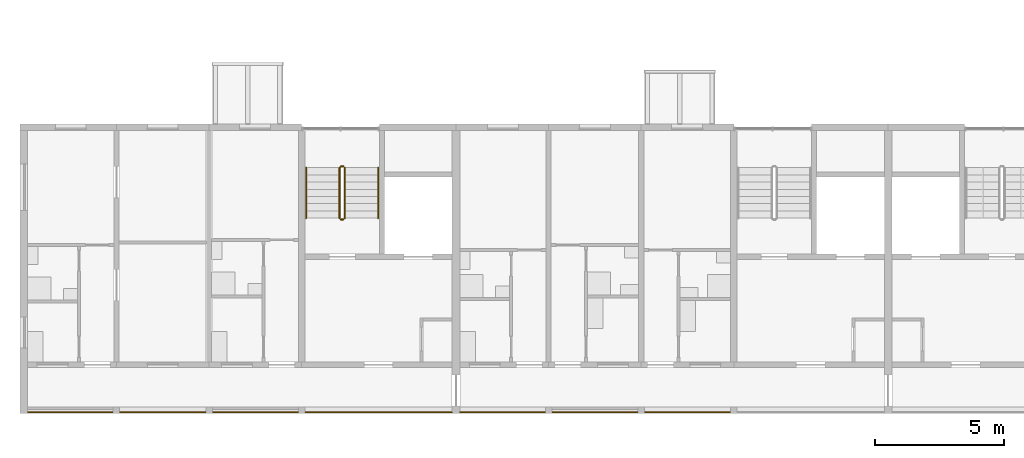
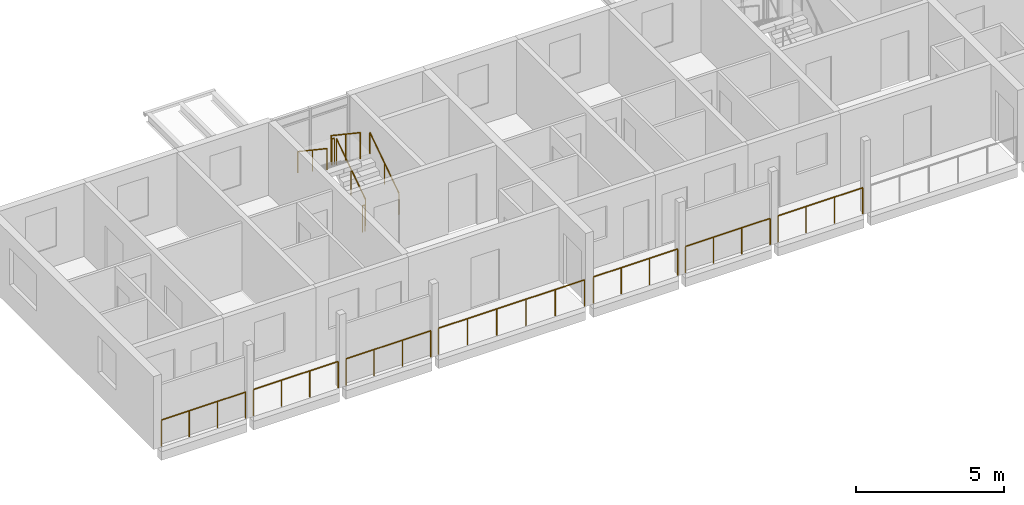
# One storey, part 71 of 93: 13 railings.
"""IFC4 building model written with IfcOpenShell, lengths in metres."""

from ifc_helpers import new_model, si_unit, direction, frame, origin, origin_2d, place, context, subcontext, project, spatial, circle, extrude, material, type_object, element, save


model = new_model("IFC4")

# Units and contexts
model_context = context("Model", 3, precision=1e-05, world=origin(), true_north=direction((0.0, 1.0)))
body_context = subcontext(model_context, "Body", "Model", "MODEL_VIEW")
ifc_project = project(units=[si_unit("LENGTHUNIT", "METRE"), si_unit("AREAUNIT", "SQUARE_METRE"), si_unit("VOLUMEUNIT", "CUBIC_METRE"), si_unit("PLANEANGLEUNIT", "RADIAN"), si_unit("MASSUNIT", "GRAM", prefix="KILO")], contexts=[model_context])

# Site, building, storey
site_placement = place(None, origin())
site = spatial("IfcSite", under=ifc_project, at=site_placement, CompositionType="ELEMENT")
building_placement = place(site_placement, origin())
building = spatial("IfcBuilding", under=site, at=building_placement, Name="Ridgestep Commons", CompositionType="ELEMENT")
storey_placement = place(building_placement, frame((0.0, 0.0, 18.0)))
storey = spatial("IfcBuildingStorey", under=building, at=storey_placement, Name="L06", CompositionType="ELEMENT", Elevation=18.0)

# Railings
ifc_material_1 = material(Name="Structural steel S355JR", Category="steel")
railing_type_1 = type_object("IfcRailingType", Name="Guard 1100", PredefinedType="GUARDRAIL", material=ifc_material_1)
railing_1_placement = place(storey_placement, frame((12.1708984375, 11.800048828125, 0.0)))
element("IfcRailing", 1, at=railing_1_placement, inside=storey, type_object=railing_type_1, Name="Gallery guard A 06.1", PredefinedType="GUARDRAIL", context=body_context, shape_type="SweptSolid", body=[
    extrude(circle(Radius=0.02392578125, at=origin_2d()), frame((0.0, 0.0, 1.076171875), z_axis=(1.0, 0.0, 0.0), x_axis=(0.0, 1.0, 0.0)), (0.0, 0.0, 1.0), 3.283203125),
    extrude(circle(Radius=0.02099609375, at=origin_2d()), origin(), (0.0, 0.0, 1.0), 1.052001953125),
    extrude(circle(Radius=0.02099609375, at=origin_2d()), frame((1.094482421875, 0.0, 0.0)), (0.0, 0.0, 1.0), 1.052001953125),
    extrude(circle(Radius=0.02099609375, at=origin_2d()), frame((2.188720703125, 0.0, 0.0)), (0.0, 0.0, 1.0), 1.052001953125),
    extrude(circle(Radius=0.02099609375, at=origin_2d()), frame((3.283203125, 0.0, 0.0)), (0.0, 0.0, 1.0), 1.052001953125),
])
railing_2_placement = place(storey_placement, frame((15.74609375, 11.800048828125, 0.0)))
element("IfcRailing", 2, at=railing_2_placement, inside=storey, type_object=railing_type_1, Name="Gallery guard A 06.2", PredefinedType="GUARDRAIL", context=body_context, shape_type="SweptSolid", body=[
    extrude(circle(Radius=0.02392578125, at=origin_2d()), frame((0.0, 0.0, 1.076171875), z_axis=(1.0, 0.0, 0.0), x_axis=(0.0, 1.0, 0.0)), (0.0, 0.0, 1.0), 3.307861328125),
    extrude(circle(Radius=0.02099609375, at=origin_2d()), origin(), (0.0, 0.0, 1.0), 1.052001953125),
    extrude(circle(Radius=0.02099609375, at=origin_2d()), frame((1.1025390625, 0.0, 0.0)), (0.0, 0.0, 1.0), 1.052001953125),
    extrude(circle(Radius=0.02099609375, at=origin_2d()), frame((2.205322265625, 0.0, 0.0)), (0.0, 0.0, 1.0), 1.052001953125),
    extrude(circle(Radius=0.02099609375, at=origin_2d()), frame((3.307861328125, 0.0, 0.0)), (0.0, 0.0, 1.0), 1.052001953125),
])
railing_3_placement = place(storey_placement, frame((19.345947265625, 11.800048828125, 0.0)))
element("IfcRailing", 3, at=railing_3_placement, inside=storey, type_object=railing_type_1, Name="Gallery guard A 06.3", PredefinedType="GUARDRAIL", context=body_context, shape_type="SweptSolid", body=[
    extrude(circle(Radius=0.02392578125, at=origin_2d()), frame((0.0, 0.0, 1.076171875), z_axis=(1.0, 0.0, 0.0), x_axis=(0.0, 1.0, 0.0)), (0.0, 0.0, 1.0), 3.30810546875),
    extrude(circle(Radius=0.02099609375, at=origin_2d()), origin(), (0.0, 0.0, 1.0), 1.052001953125),
    extrude(circle(Radius=0.02099609375, at=origin_2d()), frame((1.102783203125, 0.0, 0.0)), (0.0, 0.0, 1.0), 1.052001953125),
    extrude(circle(Radius=0.02099609375, at=origin_2d()), frame((2.205322265625, 0.0, 0.0)), (0.0, 0.0, 1.0), 1.052001953125),
    extrude(circle(Radius=0.02099609375, at=origin_2d()), frame((3.30810546875, 0.0, 0.0)), (0.0, 0.0, 1.0), 1.052001953125),
])
railing_4_placement = place(storey_placement, frame((22.946044921875, 11.800048828125, 0.0)))
element("IfcRailing", 4, at=railing_4_placement, inside=storey, type_object=railing_type_1, Name="Gallery guard A 06.4", PredefinedType="GUARDRAIL", context=body_context, shape_type="SweptSolid", body=[
    extrude(circle(Radius=0.02392578125, at=origin_2d()), frame((0.0, 0.0, 1.076171875), z_axis=(1.0, 0.0, 0.0), x_axis=(0.0, 1.0, 0.0)), (0.0, 0.0, 1.0), 5.682861328125),
    extrude(circle(Radius=0.02099609375, at=origin_2d()), origin(), (0.0, 0.0, 1.0), 1.052001953125),
    extrude(circle(Radius=0.02099609375, at=origin_2d()), frame((1.136474609375, 0.0, 0.0)), (0.0, 0.0, 1.0), 1.052001953125),
    extrude(circle(Radius=0.02099609375, at=origin_2d()), frame((2.273193359375, 0.0, 0.0)), (0.0, 0.0, 1.0), 1.052001953125),
    extrude(circle(Radius=0.02099609375, at=origin_2d()), frame((3.40966796875, 0.0, 0.0)), (0.0, 0.0, 1.0), 1.052001953125),
    extrude(circle(Radius=0.02099609375, at=origin_2d()), frame((4.54638671875, 0.0, 0.0)), (0.0, 0.0, 1.0), 1.052001953125),
    extrude(circle(Radius=0.02099609375, at=origin_2d()), frame((5.682861328125, 0.0, 0.0)), (0.0, 0.0, 1.0), 1.052001953125),
])
railing_5_placement = place(storey_placement, frame((28.970947265625, 11.800048828125, 0.0)))
element("IfcRailing", 5, at=railing_5_placement, inside=storey, type_object=railing_type_1, Name="Gallery guard A 06.5", PredefinedType="GUARDRAIL", context=body_context, shape_type="SweptSolid", body=[
    extrude(circle(Radius=0.02392578125, at=origin_2d()), frame((0.0, 0.0, 1.076171875), z_axis=(1.0, 0.0, 0.0), x_axis=(0.0, 1.0, 0.0)), (0.0, 0.0, 1.0), 3.282958984375),
    extrude(circle(Radius=0.02099609375, at=origin_2d()), origin(), (0.0, 0.0, 1.0), 1.052001953125),
    extrude(circle(Radius=0.02099609375, at=origin_2d()), frame((1.09423828125, 0.0, 0.0)), (0.0, 0.0, 1.0), 1.052001953125),
    extrude(circle(Radius=0.02099609375, at=origin_2d()), frame((2.188720703125, 0.0, 0.0)), (0.0, 0.0, 1.0), 1.052001953125),
    extrude(circle(Radius=0.02099609375, at=origin_2d()), frame((3.282958984375, 0.0, 0.0)), (0.0, 0.0, 1.0), 1.052001953125),
])
for number, where, name in (
    (6, (32.5458984375, 11.800048828125, 0.0), "Gallery guard A 06.6"),
    (7, (36.14599609375, 11.800048828125, 0.0), "Gallery guard A 06.7"),
):
    element("IfcRailing", number, at=place(storey_placement, frame(where)), inside=storey, type_object=railing_type_1, Name=name, PredefinedType="GUARDRAIL", context=body_context, shape_type="SweptSolid", body=[
        extrude(circle(Radius=0.02392578125, at=origin_2d()), frame((0.0, 0.0, 1.076171875), z_axis=(1.0, 0.0, 0.0), x_axis=(0.0, 1.0, 0.0)), (0.0, 0.0, 1.0), 3.30810546875),
        extrude(circle(Radius=0.02099609375, at=origin_2d()), origin(), (0.0, 0.0, 1.0), 1.052001953125),
        extrude(circle(Radius=0.02099609375, at=origin_2d()), frame((1.102783203125, 0.0, 0.0)), (0.0, 0.0, 1.0), 1.052001953125),
        extrude(circle(Radius=0.02099609375, at=origin_2d()), frame((2.205322265625, 0.0, 0.0)), (0.0, 0.0, 1.0), 1.052001953125),
        extrude(circle(Radius=0.02099609375, at=origin_2d()), frame((3.30810546875, 0.0, 0.0)), (0.0, 0.0, 1.0), 1.052001953125),
    ])
ifc_material_2 = material(Name="Structural steel S355JR", Category="steel")
railing_type_2 = type_object("IfcRailingType", Name="Stair guard 1100", PredefinedType="GUARDRAIL", material=ifc_material_2)
railing_6_placement = place(storey_placement, frame((24.47509765625, 19.35009765625, 0.1875)))
element("IfcRailing", 8, at=railing_6_placement, inside=storey, type_object=railing_type_2, Name="L06 A1C stair guard 1", PredefinedType="GUARDRAIL", context=body_context, shape_type="SweptSolid", body=[
    extrude(circle(Radius=0.02392578125, at=origin_2d()), frame((0.0, 0.0, 1.076171875), z_axis=(0.0, 0.830902050051, 0.556418712142), x_axis=(-1.0, 0.0, 0.0)), (0.0, 0.0, 1.0), 2.35888671875),
    extrude(circle(Radius=0.02099609375, at=origin_2d()), origin(), (0.0, 0.0, 1.0), 1.052001953125),
    extrude(circle(Radius=0.02099609375, at=origin_2d()), frame((0.0, 0.97998046875, 0.65625)), (0.0, 0.0, 1.0), 1.052001953125),
    extrude(circle(Radius=0.02099609375, at=origin_2d()), frame((0.0, 1.9599609375, 1.3125)), (0.0, 0.0, 1.0), 1.052001953125),
])
railing_7_placement = place(storey_placement, frame((24.425048828125, 21.360107421875, 1.5)))
element("IfcRailing", 9, at=railing_7_placement, inside=storey, type_object=railing_type_2, Name="L06 A1C stair guard 2", PredefinedType="GUARDRAIL", context=body_context, shape_type="SweptSolid", body=[
    extrude(circle(Radius=0.02392578125, at=origin_2d()), frame((0.0, 0.0, 1.076171875), z_axis=(-1.0, 0.0, 0.0), x_axis=(0.0, -1.0, 0.0)), (0.0, 0.0, 1.0), 0.10009765625),
    extrude(circle(Radius=0.02099609375, at=origin_2d()), origin(), (0.0, 0.0, 1.0), 1.052001953125),
    extrude(circle(Radius=0.02099609375, at=origin_2d()), frame((-0.10009765625, 0.0, 0.0)), (0.0, 0.0, 1.0), 1.052001953125),
])
railing_8_placement = place(storey_placement, frame((24.27490234375, 21.31005859375, 1.6875)))
element("IfcRailing", 10, at=railing_8_placement, inside=storey, type_object=railing_type_2, Name="L06 A1C stair guard 3", PredefinedType="GUARDRAIL", context=body_context, shape_type="SweptSolid", body=[
    extrude(circle(Radius=0.02392578125, at=origin_2d()), frame((0.0, 0.0, 1.076171875), z_axis=(0.0, -0.830902050051, 0.556418712142), x_axis=(1.0, 0.0, 0.0)), (0.0, 0.0, 1.0), 2.35888671875),
    extrude(circle(Radius=0.02099609375, at=origin_2d()), origin(), (0.0, 0.0, 1.0), 1.052001953125),
    extrude(circle(Radius=0.02099609375, at=origin_2d()), frame((0.0, -0.97998046875, 0.65625)), (0.0, 0.0, 1.0), 1.052001953125),
    extrude(circle(Radius=0.02099609375, at=origin_2d()), frame((0.0, -1.9599609375, 1.3125)), (0.0, 0.0, 1.0), 1.052001953125),
])
railing_9_placement = place(storey_placement, frame((24.425048828125, 19.300048828125, 0.0)))
element("IfcRailing", 11, at=railing_9_placement, inside=storey, type_object=railing_type_2, Name="L06 A1C stair guard 4", PredefinedType="GUARDRAIL", context=body_context, shape_type="SweptSolid", body=[
    extrude(circle(Radius=0.02392578125, at=origin_2d()), frame((0.0, 0.0, 1.076171875), z_axis=(-1.0, 0.0, 0.0), x_axis=(0.0, -1.0, 0.0)), (0.0, 0.0, 1.0), 0.10009765625),
    extrude(circle(Radius=0.02099609375, at=origin_2d()), origin(), (0.0, 0.0, 1.0), 1.052001953125),
    extrude(circle(Radius=0.02099609375, at=origin_2d()), frame((-0.10009765625, 0.0, 0.0)), (0.0, 0.0, 1.0), 1.052001953125),
])
ifc_material_3 = material(Name="Structural steel S355JR", Category="steel")
railing_type_3 = type_object("IfcRailingType", Name="Stair handrail 900", PredefinedType="HANDRAIL", material=ifc_material_3)
railing_10_placement = place(storey_placement, frame((25.77490234375, 19.35009765625, 0.1875)))
element("IfcRailing", 12, at=railing_10_placement, inside=storey, type_object=railing_type_3, Name="L06 A1C stair handrail 1", PredefinedType="HANDRAIL", context=body_context, shape_type="SweptSolid", body=[
    extrude(circle(Radius=0.02392578125, at=origin_2d()), frame((0.0, 0.0, 0.8759765625), z_axis=(0.0, 0.830902050051, 0.556418712142), x_axis=(-1.0, 0.0, 0.0)), (0.0, 0.0, 1.0), 2.35888671875),
    extrude(circle(Radius=0.02099609375, at=origin_2d()), origin(), (0.0, 0.0, 1.0), 0.851806640625),
    extrude(circle(Radius=0.02099609375, at=origin_2d()), frame((0.0, 0.97998046875, 0.65625)), (0.0, 0.0, 1.0), 0.851806640625),
    extrude(circle(Radius=0.02099609375, at=origin_2d()), frame((0.0, 1.9599609375, 1.3125)), (0.0, 0.0, 1.0), 0.851806640625),
])
railing_11_placement = place(storey_placement, frame((22.97509765625, 21.31005859375, 1.6875)))
element("IfcRailing", 13, at=railing_11_placement, inside=storey, type_object=railing_type_3, Name="L06 A1C stair handrail 2", PredefinedType="HANDRAIL", context=body_context, shape_type="SweptSolid", body=[
    extrude(circle(Radius=0.02392578125, at=origin_2d()), frame((0.0, 0.0, 0.8759765625), z_axis=(0.0, -0.830902050051, 0.556418712142), x_axis=(1.0, 0.0, 0.0)), (0.0, 0.0, 1.0), 2.35888671875),
    extrude(circle(Radius=0.02099609375, at=origin_2d()), origin(), (0.0, 0.0, 1.0), 0.851806640625),
    extrude(circle(Radius=0.02099609375, at=origin_2d()), frame((0.0, -0.97998046875, 0.65625)), (0.0, 0.0, 1.0), 0.851806640625),
    extrude(circle(Radius=0.02099609375, at=origin_2d()), frame((0.0, -1.9599609375, 1.3125)), (0.0, 0.0, 1.0), 0.851806640625),
])

save(model, "model.ifc")
